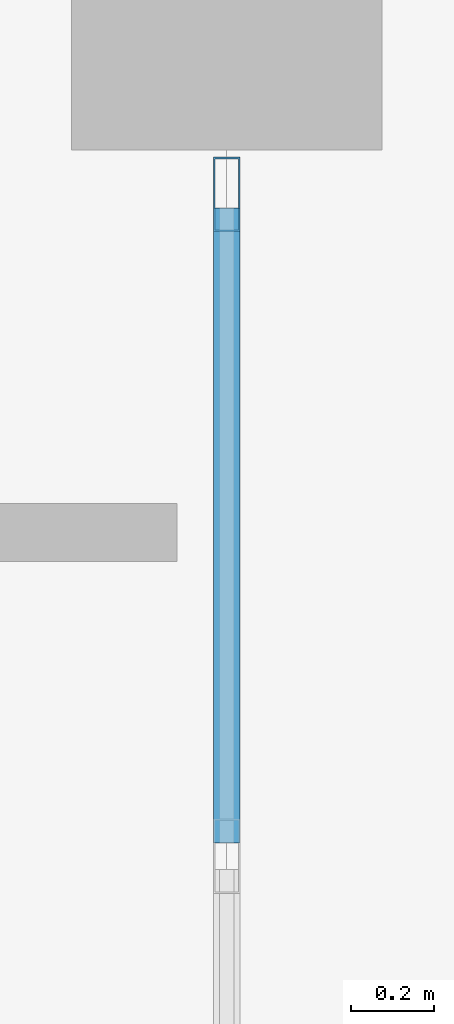
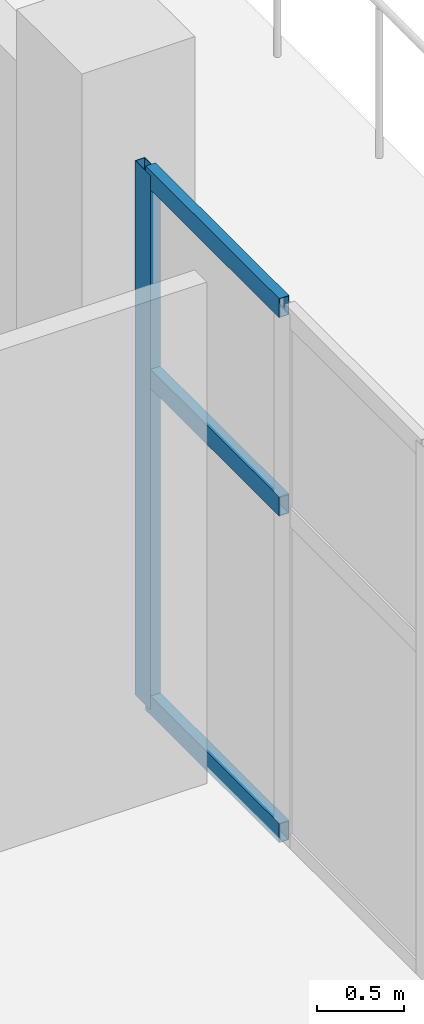
# One storey, part 33 of 132: 4 members, 1 element without a shape of its own.
"""IFC4 building model written with IfcOpenShell, lengths in metres."""

from ifc_helpers import new_model, si_unit, direction, frame, origin, origin_2d, place, context, subcontext, project, spatial, hollow_rectangle, extrude, material, material_profile, profile_set, type_object, element, aggregate, save


model = new_model("IFC4")

# Units and contexts
model_context = context("Model", 3, precision=1e-05, world=origin(), true_north=direction((0.0, 1.0)))
body_context = subcontext(model_context, "Body", "Model", "MODEL_VIEW")
ifc_project = project(units=[si_unit("LENGTHUNIT", "METRE"), si_unit("AREAUNIT", "SQUARE_METRE"), si_unit("VOLUMEUNIT", "CUBIC_METRE"), si_unit("PLANEANGLEUNIT", "RADIAN"), si_unit("MASSUNIT", "GRAM", prefix="KILO")], contexts=[model_context])

# Site, building, storey
site_placement = place(None, origin())
site = spatial("IfcSite", under=ifc_project, at=site_placement, CompositionType="ELEMENT")
building_placement = place(site_placement, origin())
building = spatial("IfcBuilding", under=site, at=building_placement, Name="Tanwirah Colonnade Gardens", CompositionType="ELEMENT")
storey_placement = place(building_placement, origin())
storey = spatial("IfcBuildingStorey", under=building, at=storey_placement, Name="L00", CompositionType="ELEMENT", Elevation=0.0)

# Curtain wall, members
ifc_material_1 = material(Name="Bronze-anodised aluminium and solar-control low-E glass", Category="aluminium")
curtain_wall_type = type_object("IfcCurtainWallType", Name="CW-HALL", PredefinedType="NOTDEFINED", material=ifc_material_1)
curtain_wall_placement = place(storey_placement, origin())
curtain_wall = element("IfcCurtainWall", 1, at=curtain_wall_placement, inside=storey, type_object=curtain_wall_type, Name="Curtain Wall CW-HALL-L00-E-4", PredefinedType="NOTDEFINED")
ifc_material_2 = material(Name="Bronze-anodised aluminium", Category="aluminium")
ifc_material_profile_1 = material_profile(ifc_material_2, hollow_rectangle(XDim=0.06494140625, YDim=0.179931640625, WallThickness=0.00390625, at=origin_2d()), Name="CW-MUL 65x180x4")
ifc_profile_set_1 = profile_set([ifc_material_profile_1], Name="Bronze-anodised aluminium")
member_type_1 = type_object("IfcMemberType", Name="CWM-65x180", PredefinedType="MULLION", material=ifc_profile_set_1)
member_1_placement = place(storey_placement, frame((108.0, 62.517578125, 0.0), z_axis=(0.0, 0.0, 1.0), x_axis=(-1.0, 0.0, 0.0)))
member_1 = element("IfcMember", 2, at=member_1_placement, type_object=member_type_1, Name="CW-HALL mullion 4", PredefinedType="MULLION", context=body_context, shape_type="SweptSolid", body=[
    extrude(hollow_rectangle(XDim=0.06494140625, YDim=0.179931640625, WallThickness=0.00390625, at=origin_2d()), origin(), (0.0, 0.0, 1.0), 3.75),
])
ifc_material_profile_2 = material_profile(ifc_material_2, hollow_rectangle(XDim=0.06494140625, YDim=0.135009765625, WallThickness=0.00390625, at=origin_2d()), Name="CW-TRN 65x135x4")
ifc_profile_set_2 = profile_set([ifc_material_profile_2], Name="Bronze-anodised aluminium")
member_type_2 = type_object("IfcMemberType", Name="CWT-65x135", PredefinedType="USERDEFINED", material=ifc_profile_set_2)
member_2_placement = place(storey_placement, frame((108.0, 60.94921875, 0.032470703125), z_axis=(0.0, 1.0, 0.0), x_axis=(-1.0, 0.0, 0.0)))
member_2 = element("IfcMember", 3, at=member_2_placement, type_object=member_type_2, Name="CW-HALL transom 3.1", ObjectType="TRANSOM", PredefinedType="USERDEFINED", context=body_context, shape_type="SweptSolid", body=[
    extrude(hollow_rectangle(XDim=0.06494140625, YDim=0.135009765625, WallThickness=0.00390625, at=origin_2d()), origin(), (0.0, 0.0, 1.0), 1.535888671875),
])
member_3_placement = place(storey_placement, frame((108.0, 60.94921875, 2.324951171875), z_axis=(0.0, 1.0, 0.0), x_axis=(-1.0, 0.0, 0.0)))
member_3 = element("IfcMember", 4, at=member_3_placement, type_object=member_type_2, Name="CW-HALL transom 3.2", ObjectType="TRANSOM", PredefinedType="USERDEFINED", context=body_context, shape_type="SweptSolid", body=[
    extrude(hollow_rectangle(XDim=0.06494140625, YDim=0.135009765625, WallThickness=0.00390625, at=origin_2d()), origin(), (0.0, 0.0, 1.0), 1.535888671875),
])
member_4_placement = place(storey_placement, frame((108.0, 60.94921875, 3.717529296875), z_axis=(0.0, 1.0, 0.0), x_axis=(-1.0, 0.0, 0.0)))
member_4 = element("IfcMember", 5, at=member_4_placement, type_object=member_type_2, Name="CW-HALL transom 3.3", ObjectType="TRANSOM", PredefinedType="USERDEFINED", context=body_context, shape_type="SweptSolid", body=[
    extrude(hollow_rectangle(XDim=0.06494140625, YDim=0.135009765625, WallThickness=0.00390625, at=origin_2d()), origin(), (0.0, 0.0, 1.0), 1.535888671875),
])
aggregate(curtain_wall, [member_1, member_2, member_3, member_4])

save(model, "model.ifc")
